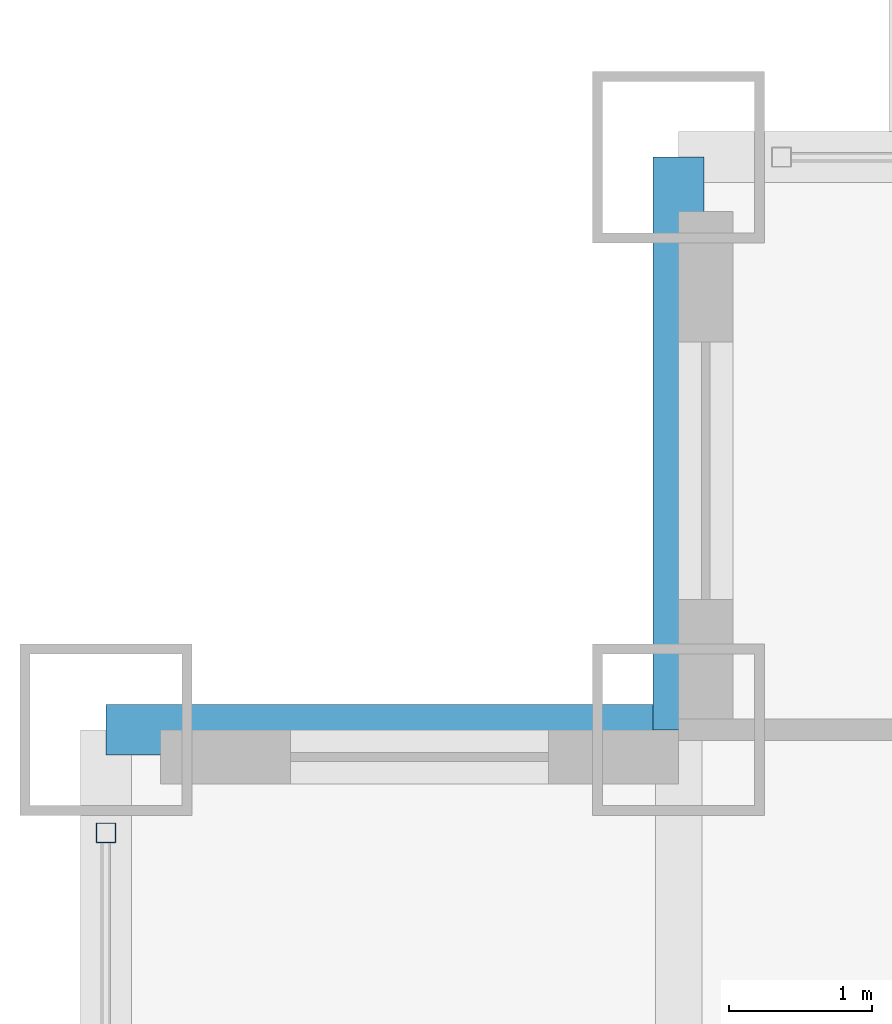
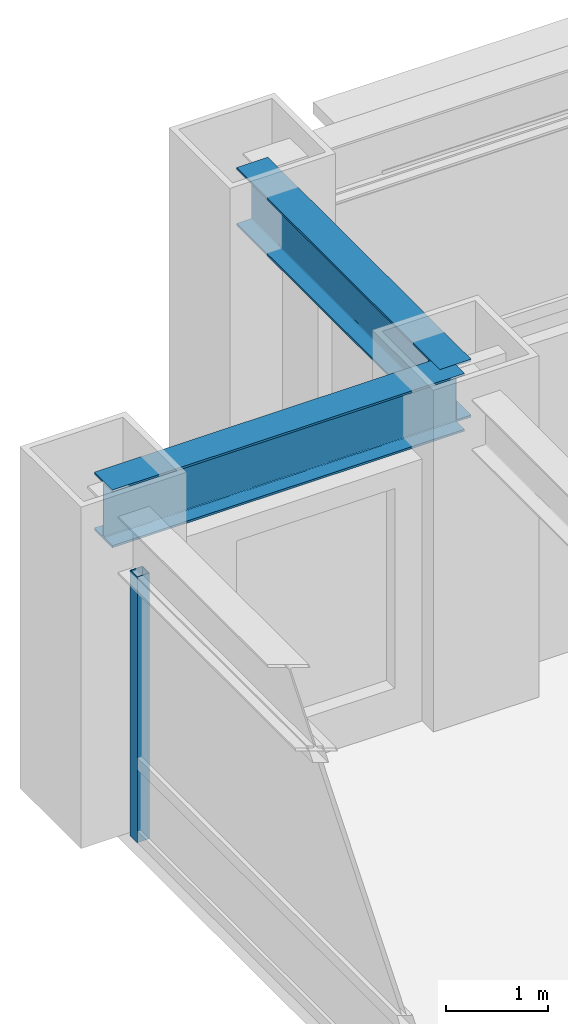
# One storey, part 10 of 32: 2 beams, 1 member, 1 element without a shape of its own.
"""IFC4 building model written with IfcOpenShell, lengths in metres."""

from ifc_helpers import new_model, si_unit, direction, frame, origin, origin_2d, place, context, subcontext, project, spatial, hollow_rectangle, i_section, extrude, source, transform, mapped, material, material_profile, profile_set, type_object, element, aggregate, save


model = new_model("IFC4")

# Units and contexts
model_context = context("Model", 3, precision=1e-05, world=origin(), true_north=direction((0.0, 1.0)))
body_context = subcontext(model_context, "Body", "Model", "MODEL_VIEW")
ifc_project = project(units=[si_unit("LENGTHUNIT", "METRE"), si_unit("AREAUNIT", "SQUARE_METRE"), si_unit("VOLUMEUNIT", "CUBIC_METRE"), si_unit("PLANEANGLEUNIT", "RADIAN"), si_unit("MASSUNIT", "GRAM", prefix="KILO")], contexts=[model_context])

# Site, building, storey
site_placement = place(None, origin())
site = spatial("IfcSite", under=ifc_project, at=site_placement, CompositionType="ELEMENT")
building_placement = place(site_placement, origin())
building = spatial("IfcBuilding", under=site, at=building_placement, Name="Khorayat Bourse Tower", CompositionType="ELEMENT")
storey_placement = place(building_placement, frame((0.0, 0.0, 132.39990234375)))
storey = spatial("IfcBuildingStorey", under=building, at=storey_placement, Name="L30", CompositionType="ELEMENT", Elevation=132.39990234375)

# Beams
ifc_material_1 = material(Name="Steel ASTM A992 Grade 50", Category="steel")
ifc_material_profile_1 = material_profile(ifc_material_1, i_section(OverallWidth=0.35498046875, OverallDepth=0.695068359375, WebThickness=0.015380859375, FlangeThickness=0.02490234375, FilletRadius=0.01806640625, at=origin_2d()), Name="W690X217")
ifc_profile_set_1 = profile_set([ifc_material_profile_1], Name="Steel ASTM A992 Grade 50")
beam_type = type_object("IfcBeamType", Name="BM-SPAN-690", PredefinedType="SPANDREL", material=ifc_profile_set_1)
shared_shape_1 = source(origin(), body_context, "Body", "SweptSolid", [
    extrude(i_section(OverallWidth=0.35498046875, OverallDepth=0.695068359375, WebThickness=0.015380859375, FlangeThickness=0.02490234375, FilletRadius=0.01806640625, at=origin_2d()), origin(), (0.0, 0.0, 1.0), 4.0),
])
for number, where, z_axis, x_axis, name in (
    (1, (-28.0, 28.0, 3.49267578125), (0.0, 1.0, 0.0), (-1.0, 0.0, 0.0), "L30 BM-SPAN-690 BM-L30-SPN-052"),
    (2, (-32.0, 28.0, 3.49267578125), (1.0, 0.0, 0.0), (0.0, 1.0, 0.0), "L30 BM-SPAN-690 BM-L30-SPN-053"),
):
    element("IfcBeam", number, at=place(storey_placement, frame(where, z_axis=z_axis, x_axis=x_axis)), inside=storey, type_object=beam_type, Name=name, PredefinedType="SPANDREL", context=body_context, shape_type="MappedRepresentation", body=[
        mapped(shared_shape_1, transform((0.0, 0.0, 0.0), scale=1.0)),
    ])

# Curtain wall, member
ifc_material_2 = material(Name="Aluminium EN AW-6063 T6", Category="aluminium")
curtain_wall_type = type_object("IfcCurtainWallType", Name="CW-SYS-02", PredefinedType="NOTDEFINED", material=ifc_material_2)
curtain_wall_placement = place(storey_placement, origin())
curtain_wall = element("IfcCurtainWall", 3, at=curtain_wall_placement, inside=storey, type_object=curtain_wall_type, Name="L30 Curtain Wall CW-L30-W1", PredefinedType="NOTDEFINED")
ifc_material_profile_2 = material_profile(ifc_material_2, hollow_rectangle(XDim=0.139892578125, YDim=0.139892578125, WallThickness=0.006103515625, at=origin_2d()), Name="ALU 140x140x6")
ifc_profile_set_2 = profile_set([ifc_material_profile_2], Name="Aluminium EN AW-6063 T6")
member_type = type_object("IfcMemberType", Name="CWM-VERT-140", PredefinedType="MULLION", material=ifc_profile_set_2)
shared_shape_2 = source(origin(), body_context, "Body", "SweptSolid", [
    extrude(hollow_rectangle(XDim=0.139892578125, YDim=0.139892578125, WallThickness=0.006103515625, at=origin_2d()), origin(), (0.0, 0.0, 1.0), 3.190185546875),
])
member_placement = place(storey_placement, frame((-32.0, 27.280029296875, 0.0), z_axis=(0.0, 0.0, 1.0), x_axis=(-1.0, 0.0, 0.0)))
member = element("IfcMember", 4, at=member_placement, type_object=member_type, Name="CW-L30-W1 Vertical Mullion 3", PredefinedType="MULLION", context=body_context, shape_type="MappedRepresentation", body=[
    mapped(shared_shape_2, transform((0.0, 0.0, 0.0), scale=1.0)),
])
aggregate(curtain_wall, [member])

save(model, "model.ifc")
